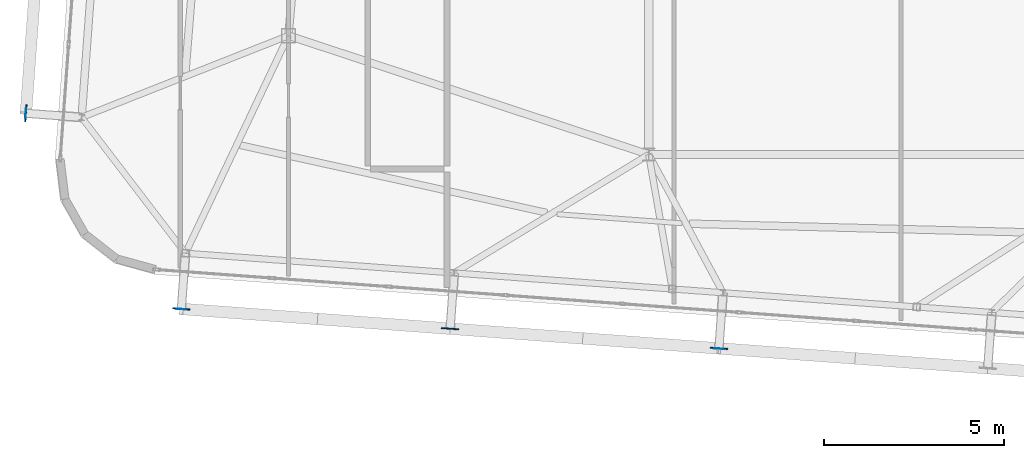
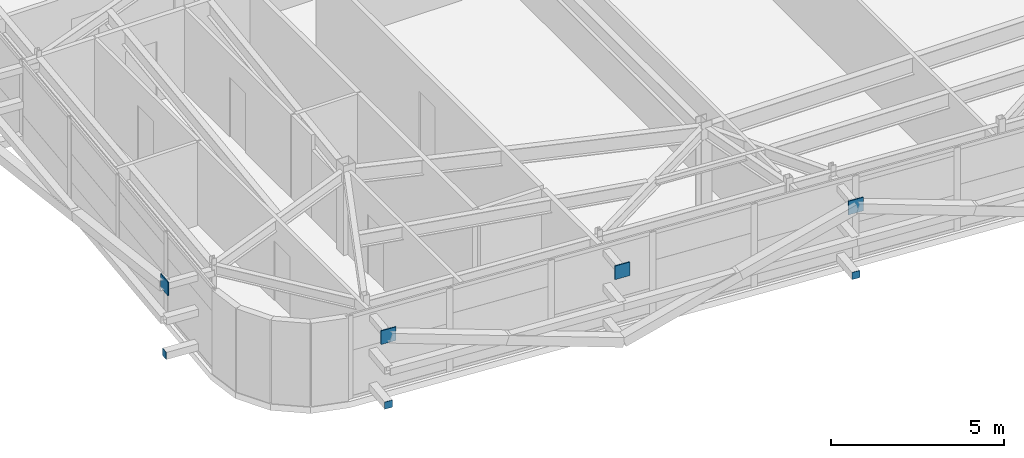
# One storey, part 31 of 42: 7 plates.
"""IFC4 building model written with IfcOpenShell, lengths in metres."""

from ifc_helpers import new_model, si_unit, direction, frame, origin, origin_2d, place, context, subcontext, project, spatial, rectangle, extrude, source, transform, mapped, material, layer, layer_set, type_object, element, save


model = new_model("IFC4")

# Units and contexts
model_context = context("Model", 3, precision=1e-05, world=origin(), true_north=direction((0.0, 1.0)))
body_context = subcontext(model_context, "Body", "Model", "MODEL_VIEW")
ifc_project = project(units=[si_unit("LENGTHUNIT", "METRE"), si_unit("AREAUNIT", "SQUARE_METRE"), si_unit("VOLUMEUNIT", "CUBIC_METRE"), si_unit("PLANEANGLEUNIT", "RADIAN"), si_unit("MASSUNIT", "GRAM", prefix="KILO")], contexts=[model_context])

# Site, building, storey
site_placement = place(None, origin())
site = spatial("IfcSite", under=ifc_project, at=site_placement, CompositionType="ELEMENT")
building_placement = place(site_placement, origin())
building = spatial("IfcBuilding", under=site, at=building_placement, Name="Taldren Reach Tower", CompositionType="ELEMENT")
storey_placement = place(building_placement, frame((0.0, 0.0, 220.85009765625)))
storey = spatial("IfcBuildingStorey", under=building, at=storey_placement, Name="L67", CompositionType="ELEMENT", Elevation=220.85009765625)

# Plates
ifc_material_1 = material(Name="Steel Gr 350 (C350L0)", Category="steel")
ifc_layer_1 = layer(ifc_material_1, 0.011962890625)
ifc_layer_set_1 = layer_set([ifc_layer_1], Name="Steel Gr 350 (C350L0)")
plate_type_1 = type_object("IfcPlateType", Name="PL-CAP-250", PredefinedType="SHEET", material=ifc_layer_set_1)
shared_shape_1 = source(origin(), body_context, "Body", "SweptSolid", [
    extrude(rectangle(XDim=0.25, YDim=0.011962890625, at=origin_2d()), origin(), (0.0, 0.0, 1.0), 0.25),
])
for number, where, z_axis, x_axis, name in (
    (1, (15.026611328125, 4.908447265625, 0.094970703125), (0.0, 0.0, 1.0), (0.997314477224, -0.073238197128, 0.0), "Tie strut end cap plate B5-S1 L67"),
    (2, (29.946533203125, 3.812744140625, 0.094970703125), (0.0, 0.0, 1.0), (0.997314477224, -0.073238197128, 0.0), "Tie strut end cap plate B5-S3 L67"),
):
    element("IfcPlate", number, at=place(storey_placement, frame(where, z_axis=z_axis, x_axis=x_axis)), inside=storey, type_object=plate_type_1, Name=name, PredefinedType="SHEET", context=body_context, shape_type="MappedRepresentation", body=[
        mapped(shared_shape_1, transform((0.0, 0.0, 0.0), scale=1.0)),
    ])
shared_shape_2 = source(origin(), body_context, "Body", "SweptSolid", [
    extrude(rectangle(XDim=0.011962890625, YDim=0.25, at=origin_2d()), origin(), (0.0, 0.0, 1.0), 0.25),
])
plate_placement = place(storey_placement, frame((10.707275390625, 10.345458984375, 0.094970703125), z_axis=(0.0, 0.0, 1.0), x_axis=(0.997314477224, -0.073238197128, 0.0)))
element("IfcPlate", 3, at=plate_placement, inside=storey, type_object=plate_type_1, Name="Tie strut end cap plate B5-W1 L67", PredefinedType="SHEET", context=body_context, shape_type="MappedRepresentation", body=[
    mapped(shared_shape_2, transform((0.0, 0.0, 0.0), scale=1.0)),
])
ifc_material_2 = material(Name="Steel Gr 450 (C450L0)", Category="steel")
ifc_layer_2 = layer(ifc_material_2, 0.031982421875)
ifc_layer_set_2 = layer_set([ifc_layer_2], Name="Steel Gr 450 (C450L0)")
plate_type_2 = type_object("IfcPlateType", Name="PL-GUSSET-32", PredefinedType="SHEET", material=ifc_layer_set_2)
shared_shape_3 = source(origin(), body_context, "Body", "SweptSolid", [
    extrude(rectangle(XDim=0.47998046875, YDim=0.031982421875, at=origin_2d()), origin(), (0.0, 0.0, 1.0), 0.47998046875),
])
for number, where, z_axis, x_axis, name in (
    (4, (15.027099609375, 4.914306640625, 2.409912109375), (0.0, 0.0, 1.0), (0.997314477224, -0.073238197128, 0.0), "Exoskeleton star-node gusset plate B5-S1 L67"),
    (5, (22.487060546875, 4.36669921875, 2.409912109375), (0.0, 0.0, 1.0), (0.997314477224, -0.073238197128, 0.0), "Exoskeleton star-node gusset plate B5-S2 L67"),
    (6, (29.947021484375, 3.81884765625, 2.409912109375), (0.0, 0.0, 1.0), (0.997314477224, -0.073238197128, 0.0), "Exoskeleton star-node gusset plate B5-S3 L67"),
    (7, (10.71337890625, 10.344970703125, 2.409912109375), (0.0, 0.0, 1.0), (0.073238197128, 0.997314477224, 0.0), "Exoskeleton star-node gusset plate B5-W1 L67"),
):
    element("IfcPlate", number, at=place(storey_placement, frame(where, z_axis=z_axis, x_axis=x_axis)), inside=storey, type_object=plate_type_2, Name=name, PredefinedType="SHEET", context=body_context, shape_type="MappedRepresentation", body=[
        mapped(shared_shape_3, transform((0.0, 0.0, 0.0), scale=1.0)),
    ])

save(model, "model.ifc")
